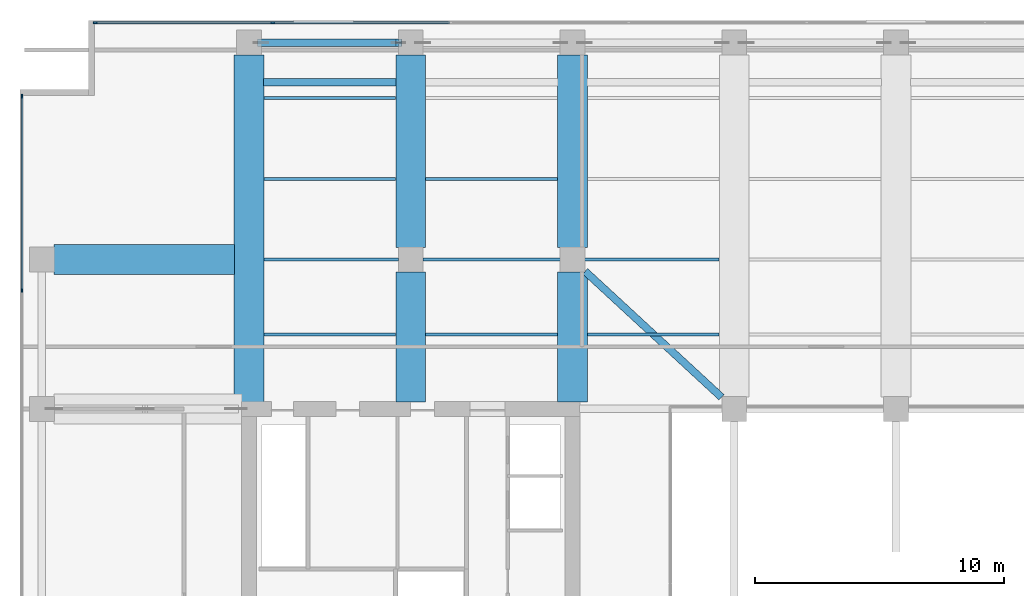
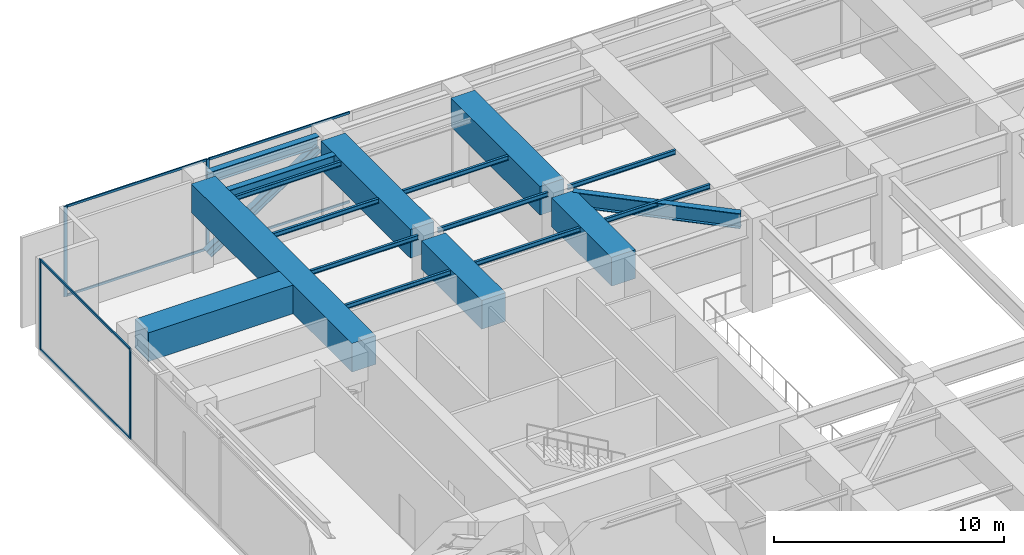
# One storey, part 8 of 28: 18 beams, 11 members, 2 elements without a shape of their own.
"""IFC4 building model written with IfcOpenShell, lengths in metres."""

from ifc_helpers import new_model, si_unit, direction, frame, origin, origin_2d, place, context, subcontext, project, spatial, rectangle, i_section, extrude, material, layer, layer_set, material_profile, profile_set, type_object, element, aggregate, save


model = new_model("IFC4")

# Units and contexts
model_context = context("Model", 3, precision=1e-05, world=origin(), true_north=direction((0.0, 1.0)))
body_context = subcontext(model_context, "Body", "Model", "MODEL_VIEW")
ifc_project = project(units=[si_unit("LENGTHUNIT", "METRE"), si_unit("AREAUNIT", "SQUARE_METRE"), si_unit("VOLUMEUNIT", "CUBIC_METRE"), si_unit("PLANEANGLEUNIT", "RADIAN"), si_unit("MASSUNIT", "GRAM", prefix="KILO")], contexts=[model_context])

# Site, building, storey
site_placement = place(None, origin())
site = spatial("IfcSite", under=ifc_project, at=site_placement, CompositionType="ELEMENT")
building_placement = place(site_placement, origin())
building = spatial("IfcBuilding", under=site, at=building_placement, Name="Putna Gate Headquarters", CompositionType="ELEMENT")
storey_placement = place(building_placement, frame((0.0, 0.0, 197.39990234375)))
storey = spatial("IfcBuildingStorey", under=building, at=storey_placement, Name="L49", CompositionType="ELEMENT", Elevation=197.39990234375)

# Beams
ifc_material_1 = material(Name="Steel S355J2", Category="steel")
ifc_material_profile_1 = material_profile(ifc_material_1, i_section(OverallWidth=0.300048828125, OverallDepth=0.800048828125, WebThickness=0.017578125, FlangeThickness=0.032958984375, at=origin_2d()), Name="Steel S355J2")
ifc_profile_set_1 = profile_set([ifc_material_profile_1], Name="Steel S355J2")
beam_type_1 = type_object("IfcBeamType", Name="BM-GIRD-P-HEB800", PredefinedType="USERDEFINED", material=ifc_profile_set_1)
beam_1_placement = place(storey_placement, frame((26.510498046875, 38.52880859375, 4.380126953125), z_axis=(0.734798423453, -0.678285542298, 0.0), x_axis=(0.678285542298, 0.734798423453, 0.0)))
element("IfcBeam", 1, at=beam_1_placement, inside=storey, type_object=beam_type_1, Name="L49 Core Flank Collector Tie Girder NW", ObjectType="GIRDER", PredefinedType="USERDEFINED", context=body_context, shape_type="SweptSolid", body=[
    extrude(i_section(OverallWidth=0.300048828125, OverallDepth=0.800048828125, WebThickness=0.017578125, FlangeThickness=0.032958984375, at=origin_2d()), origin(), (0.0, 0.0, 1.0), 7.45654296875),
])
ifc_material_profile_2 = material_profile(ifc_material_1, i_section(OverallWidth=0.1201171875, OverallDepth=0.239990234375, WebThickness=0.006103515625, FlangeThickness=0.009765625, at=origin_2d()), Name="Steel S355J2")
ifc_profile_set_2 = profile_set([ifc_material_profile_2], Name="Steel S355J2")
beam_type_2 = type_object("IfcBeamType", Name="BM-SEC-Z4-IPE240", PredefinedType="JOIST", material=ifc_profile_set_2)
beam_2_placement = place(storey_placement, frame((13.60400390625, 36.0, 4.66015625), z_axis=(1.0, 0.0, 0.0), x_axis=(0.0, 1.0, 0.0)))
element("IfcBeam", 2, at=beam_2_placement, inside=storey, type_object=beam_type_2, Name="L49 North Secondary Beam 1", PredefinedType="JOIST", context=body_context, shape_type="SweptSolid", body=[
    extrude(i_section(OverallWidth=0.1201171875, OverallDepth=0.239990234375, WebThickness=0.006103515625, FlangeThickness=0.009765625, at=origin_2d()), origin(), (0.0, 0.0, 1.0), 5.2919921875),
])
beam_3_placement = place(storey_placement, frame((13.60400390625, 39.0, 4.66015625), z_axis=(1.0, 0.0, 0.0), x_axis=(0.0, 1.0, 0.0)))
element("IfcBeam", 3, at=beam_3_placement, inside=storey, type_object=beam_type_2, Name="L49 North Secondary Beam 1", PredefinedType="JOIST", context=body_context, shape_type="SweptSolid", body=[
    extrude(i_section(OverallWidth=0.1201171875, OverallDepth=0.239990234375, WebThickness=0.006103515625, FlangeThickness=0.009765625, at=origin_2d()), origin(), (0.0, 0.0, 1.0), 5.407958984375),
])
for number, where, z_axis, x_axis, name in (
    (4, (13.60400390625, 42.25, 4.66015625), (1.0, 0.0, 0.0), (0.0, 1.0, 0.0), "L49 North Secondary Beam 1"),
    (5, (13.60400390625, 45.5, 4.66015625), (1.0, 0.0, 0.0), (0.0, 1.0, 0.0), "L49 North Secondary Beam 1"),
    (6, (20.10400390625, 36.0, 4.66015625), (1.0, 0.0, 0.0), (0.0, 1.0, 0.0), "L49 North Secondary Beam 2"),
):
    element("IfcBeam", number, at=place(storey_placement, frame(where, z_axis=z_axis, x_axis=x_axis)), inside=storey, type_object=beam_type_2, Name=name, PredefinedType="JOIST", context=body_context, shape_type="SweptSolid", body=[
        extrude(i_section(OverallWidth=0.1201171875, OverallDepth=0.239990234375, WebThickness=0.006103515625, FlangeThickness=0.009765625, at=origin_2d()), origin(), (0.0, 0.0, 1.0), 5.2919921875),
    ])
beam_4_placement = place(storey_placement, frame((19.988037109375, 39.0, 4.66015625), z_axis=(1.0, 0.0, 0.0), x_axis=(0.0, 1.0, 0.0)))
element("IfcBeam", 7, at=beam_4_placement, inside=storey, type_object=beam_type_2, Name="L49 North Secondary Beam 2", PredefinedType="JOIST", context=body_context, shape_type="SweptSolid", body=[
    extrude(i_section(OverallWidth=0.1201171875, OverallDepth=0.239990234375, WebThickness=0.006103515625, FlangeThickness=0.009765625, at=origin_2d()), origin(), (0.0, 0.0, 1.0), 5.52392578125),
])
for number, where, z_axis, x_axis, name in (
    (8, (20.10400390625, 42.25, 4.66015625), (1.0, 0.0, 0.0), (0.0, 1.0, 0.0), "L49 North Secondary Beam 2"),
    (9, (26.60400390625, 36.0, 4.66015625), (1.0, 0.0, 0.0), (0.0, 1.0, 0.0), "L49 North Secondary Beam 3"),
):
    element("IfcBeam", number, at=place(storey_placement, frame(where, z_axis=z_axis, x_axis=x_axis)), inside=storey, type_object=beam_type_2, Name=name, PredefinedType="JOIST", context=body_context, shape_type="SweptSolid", body=[
        extrude(i_section(OverallWidth=0.1201171875, OverallDepth=0.239990234375, WebThickness=0.006103515625, FlangeThickness=0.009765625, at=origin_2d()), origin(), (0.0, 0.0, 1.0), 5.2919921875),
    ])
beam_5_placement = place(storey_placement, frame((26.488037109375, 39.0, 4.66015625), z_axis=(1.0, 0.0, 0.0), x_axis=(0.0, 1.0, 0.0)))
element("IfcBeam", 10, at=beam_5_placement, inside=storey, type_object=beam_type_2, Name="L49 North Secondary Beam 3", PredefinedType="JOIST", context=body_context, shape_type="SweptSolid", body=[
    extrude(i_section(OverallWidth=0.1201171875, OverallDepth=0.239990234375, WebThickness=0.006103515625, FlangeThickness=0.009765625, at=origin_2d()), origin(), (0.0, 0.0, 1.0), 5.407958984375),
])
ifc_material_profile_3 = material_profile(ifc_material_1, i_section(OverallWidth=0.300048828125, OverallDepth=0.590087890625, WebThickness=0.012939453125, FlangeThickness=0.02490234375, at=origin_2d()), Name="Steel S355J2")
ifc_profile_set_3 = profile_set([ifc_material_profile_3], Name="Steel S355J2")
beam_type_3 = type_object("IfcBeamType", Name="BM-SPAN-Z4-HEA600", PredefinedType="SPANDREL", material=ifc_profile_set_3)
beam_6_placement = place(storey_placement, frame((13.488037109375, 47.719970703125, 4.485107421875), z_axis=(1.0, 0.0, 0.0), x_axis=(0.0, 1.0, 0.0)))
element("IfcBeam", 11, at=beam_6_placement, inside=storey, type_object=beam_type_3, Name="L49 N Perimeter Spandrel 1", PredefinedType="SPANDREL", context=body_context, shape_type="SweptSolid", body=[
    extrude(i_section(OverallWidth=0.300048828125, OverallDepth=0.590087890625, WebThickness=0.012939453125, FlangeThickness=0.02490234375, at=origin_2d()), origin(), (0.0, 0.0, 1.0), 5.52392578125),
])
beam_7_placement = place(storey_placement, frame((13.5849609375, 46.1201171875, 4.485107421875), z_axis=(1.0, 0.0, 0.0), x_axis=(0.0, 1.0, 0.0)))
element("IfcBeam", 12, at=beam_7_placement, inside=storey, type_object=beam_type_3, Name="L49 Setback Edge Beam N1", PredefinedType="SPANDREL", context=body_context, shape_type="SweptSolid", body=[
    extrude(i_section(OverallWidth=0.300048828125, OverallDepth=0.590087890625, WebThickness=0.012939453125, FlangeThickness=0.02490234375, at=origin_2d()), origin(), (0.0, 0.0, 1.0), 5.330078125),
])
ifc_material_2 = material(Name="Concrete C50/60", Category="concrete")
ifc_material_profile_4 = material_profile(ifc_material_2, rectangle(XDim=1.199951171875, YDim=1.52001953125, at=origin_2d()), Name="Concrete C50/60")
ifc_profile_set_4 = profile_set([ifc_material_profile_4], Name="Concrete C50/60")
beam_type_4 = type_object("IfcBeamType", Name="BM-TG-RC1520", PredefinedType="USERDEFINED", material=ifc_profile_set_4)
beam_8_placement = place(storey_placement, frame((5.16796875, 39.0, 4.02001953125), z_axis=(1.0, 0.0, 0.0), x_axis=(0.0, 1.0, 0.0)))
element("IfcBeam", 13, at=beam_8_placement, inside=storey, type_object=beam_type_4, Name="L49 West Setback Girder Y39", ObjectType="GIRDER", PredefinedType="USERDEFINED", context=body_context, shape_type="SweptSolid", body=[
    extrude(rectangle(XDim=1.199951171875, YDim=1.52001953125, at=origin_2d()), origin(), (0.0, 0.0, 1.0), 7.2470703125),
])
beam_9_placement = place(storey_placement, frame((13.0, 33.284912109375, 4.02001953125), z_axis=(0.0, 1.0, 0.0), x_axis=(-1.0, 0.0, 0.0)))
element("IfcBeam", 14, at=beam_9_placement, inside=storey, type_object=beam_type_4, Name="L49 North Primary Girder X13", ObjectType="GIRDER", PredefinedType="USERDEFINED", context=body_context, shape_type="SweptSolid", body=[
    extrude(rectangle(XDim=1.199951171875, YDim=1.52001953125, at=origin_2d()), origin(), (0.0, 0.0, 1.0), 13.947021484375),
])
beam_10_placement = place(storey_placement, frame((19.5, 33.284912109375, 4.02001953125), z_axis=(0.0, 1.0, 0.0), x_axis=(-1.0, 0.0, 0.0)))
element("IfcBeam", 15, at=beam_10_placement, inside=storey, type_object=beam_type_4, Name="L49 North Primary Girder X19-1", ObjectType="GIRDER", PredefinedType="USERDEFINED", context=body_context, shape_type="SweptSolid", body=[
    extrude(rectangle(XDim=1.199951171875, YDim=1.52001953125, at=origin_2d()), origin(), (0.0, 0.0, 1.0), 5.22705078125),
])
beam_11_placement = place(storey_placement, frame((19.5, 39.488037109375, 4.02001953125), z_axis=(0.0, 1.0, 0.0), x_axis=(-1.0, 0.0, 0.0)))
element("IfcBeam", 16, at=beam_11_placement, inside=storey, type_object=beam_type_4, Name="L49 North Primary Girder X19-2", ObjectType="GIRDER", PredefinedType="USERDEFINED", context=body_context, shape_type="SweptSolid", body=[
    extrude(rectangle(XDim=1.199951171875, YDim=1.52001953125, at=origin_2d()), origin(), (0.0, 0.0, 1.0), 7.743896484375),
])
beam_12_placement = place(storey_placement, frame((26.0, 33.284912109375, 4.02001953125), z_axis=(0.0, 1.0, 0.0), x_axis=(-1.0, 0.0, 0.0)))
element("IfcBeam", 17, at=beam_12_placement, inside=storey, type_object=beam_type_4, Name="L49 North Primary Girder X26-1", ObjectType="GIRDER", PredefinedType="USERDEFINED", context=body_context, shape_type="SweptSolid", body=[
    extrude(rectangle(XDim=1.199951171875, YDim=1.52001953125, at=origin_2d()), origin(), (0.0, 0.0, 1.0), 5.22705078125),
])
beam_13_placement = place(storey_placement, frame((26.0, 39.488037109375, 4.02001953125), z_axis=(0.0, 1.0, 0.0), x_axis=(-1.0, 0.0, 0.0)))
element("IfcBeam", 18, at=beam_13_placement, inside=storey, type_object=beam_type_4, Name="L49 North Primary Girder X26-2", ObjectType="GIRDER", PredefinedType="USERDEFINED", context=body_context, shape_type="SweptSolid", body=[
    extrude(rectangle(XDim=1.199951171875, YDim=1.52001953125, at=origin_2d()), origin(), (0.0, 0.0, 1.0), 7.743896484375),
])

# Member
ifc_material_3 = material(Name="Steel S460M", Category="steel")
ifc_material_profile_5 = material_profile(ifc_material_3, i_section(OverallWidth=0.306884765625, OverallDepth=0.47802734375, WebThickness=0.02099609375, FlangeThickness=0.0400390625, at=origin_2d()), Name="Steel S460M")
ifc_profile_set_5 = profile_set([ifc_material_profile_5], Name="Steel S460M")
member_type_1 = type_object("IfcMemberType", Name="MEM-BELT-DIAG-HEM450", PredefinedType="BRACE", material=ifc_profile_set_5)
member_1_placement = place(storey_placement, frame((13.485107421875, 47.719970703125, 0.4501953125), z_axis=(0.832508038541, 0.0, 0.554012965339), x_axis=(0.0, 1.0, 0.0)))
element("IfcMember", 19, at=member_1_placement, inside=storey, type_object=member_type_1, Name="L49 Belt Truss Diagonal N1", PredefinedType="BRACE", context=body_context, shape_type="SweptSolid", body=[
    extrude(i_section(OverallWidth=0.306884765625, OverallDepth=0.47802734375, WebThickness=0.02099609375, FlangeThickness=0.0400390625, at=origin_2d()), origin(), (0.0, 0.0, 1.0), 6.642333984375),
])

# Curtain wall, members
ifc_material_4 = material(Name="Anodised bronze aluminium curtain wall", Category="aluminium")
ifc_layer = layer(ifc_material_4, 0.159912109375)
ifc_layer_set = layer_set([ifc_layer], Name="Anodised bronze aluminium curtain wall")
curtain_wall_type = type_object("IfcCurtainWallType", Name="CW-SYS-CRN", PredefinedType="USERDEFINED", material=ifc_layer_set)
curtain_wall_1_placement = place(storey_placement, origin())
curtain_wall_1 = element("IfcCurtainWall", 20, at=curtain_wall_1_placement, inside=storey, type_object=curtain_wall_type, Name="L49 Acoustic Louvre North Enclosure", ObjectType="STICK CURTAIN WALL", PredefinedType="USERDEFINED")
ifc_material_5 = material(Name="Anodised bronze aluminium EN AW-6060", Category="aluminium")
ifc_material_profile_6 = material_profile(ifc_material_5, rectangle(XDim=0.06494140625, YDim=0.159912109375, at=origin_2d()), Name="Anodised bronze aluminium EN AW-6060")
ifc_profile_set_6 = profile_set([ifc_material_profile_6], Name="Anodised bronze aluminium EN AW-6060")
member_type_2 = type_object("IfcMemberType", Name="MULL-CWM-CR", PredefinedType="MULLION", material=ifc_profile_set_6)
member_2_placement = place(storey_placement, frame((6.83251953125, 48.52001953125, 0.0), z_axis=(0.0, 0.0, 1.0), x_axis=(0.0, 1.0, 0.0)))
member_2 = element("IfcMember", 21, at=member_2_placement, type_object=member_type_2, Name="CWS-CR mullion 1", PredefinedType="MULLION", context=body_context, shape_type="SweptSolid", body=[
    extrude(rectangle(XDim=0.06494140625, YDim=0.159912109375, at=origin_2d()), origin(), (0.0, 0.0, 1.0), 4.780029296875),
])
member_3_placement = place(storey_placement, frame((13.95556640625, 48.52001953125, 0.0), z_axis=(0.0, 0.0, 1.0), x_axis=(0.0, 1.0, 0.0)))
member_3 = element("IfcMember", 22, at=member_3_placement, type_object=member_type_2, Name="CWS-CR mullion 2", PredefinedType="MULLION", context=body_context, shape_type="SweptSolid", body=[
    extrude(rectangle(XDim=0.06494140625, YDim=0.159912109375, at=origin_2d()), origin(), (0.0, 0.0, 1.0), 4.780029296875),
])

curtain_wall_2_placement = place(storey_placement, origin())
curtain_wall_2 = element("IfcCurtainWall", 23, at=curtain_wall_2_placement, inside=storey, type_object=curtain_wall_type, Name="L49 Acoustic Louvre West Enclosure", ObjectType="STICK CURTAIN WALL", PredefinedType="USERDEFINED")
member_4_placement = place(storey_placement, frame((3.8798828125, 37.760009765625, 0.0), z_axis=(0.0, 0.0, 1.0), x_axis=(-1.0, 0.0, 0.0)))
member_4 = element("IfcMember", 24, at=member_4_placement, type_object=member_type_2, Name="CWS-CR mullion 5", PredefinedType="MULLION", context=body_context, shape_type="SweptSolid", body=[
    extrude(rectangle(XDim=0.06494140625, YDim=0.159912109375, at=origin_2d()), origin(), (0.0, 0.0, 1.0), 4.780029296875),
])
member_5_placement = place(storey_placement, frame((3.8798828125, 45.5673828125, 0.0), z_axis=(0.0, 0.0, 1.0), x_axis=(-1.0, 0.0, 0.0)))
member_5 = element("IfcMember", 25, at=member_5_placement, type_object=member_type_2, Name="CWS-CR mullion 6", PredefinedType="MULLION", context=body_context, shape_type="SweptSolid", body=[
    extrude(rectangle(XDim=0.06494140625, YDim=0.159912109375, at=origin_2d()), origin(), (0.0, 0.0, 1.0), 4.780029296875),
])

# Member
ifc_material_profile_7 = material_profile(ifc_material_5, rectangle(XDim=0.06494140625, YDim=0.1201171875, at=origin_2d()), Name="Anodised bronze aluminium EN AW-6060")
ifc_profile_set_7 = profile_set([ifc_material_profile_7], Name="Anodised bronze aluminium EN AW-6060")
member_type_3 = type_object("IfcMemberType", Name="TRAN-CWT-CR", PredefinedType="USERDEFINED", material=ifc_profile_set_7)
member_6_placement = place(storey_placement, frame((6.864990234375, 48.52001953125, 0.03271484375), z_axis=(1.0, 0.0, 0.0), x_axis=(0.0, 1.0, 0.0)))
member_6 = element("IfcMember", 26, at=member_6_placement, type_object=member_type_3, Name="CWS-CR transom 1.1", ObjectType="TRANSOM", PredefinedType="USERDEFINED", context=body_context, shape_type="SweptSolid", body=[
    extrude(rectangle(XDim=0.06494140625, YDim=0.1201171875, at=origin_2d()), origin(), (0.0, 0.0, 1.0), 7.05810546875),
])

member_7_placement = place(storey_placement, frame((6.864990234375, 48.52001953125, 4.74755859375), z_axis=(1.0, 0.0, 0.0), x_axis=(0.0, 1.0, 0.0)))
member_7 = element("IfcMember", 27, at=member_7_placement, type_object=member_type_3, Name="CWS-CR transom 1.2", ObjectType="TRANSOM", PredefinedType="USERDEFINED", context=body_context, shape_type="SweptSolid", body=[
    extrude(rectangle(XDim=0.06494140625, YDim=0.1201171875, at=origin_2d()), origin(), (0.0, 0.0, 1.0), 7.05810546875),
])

member_8_placement = place(storey_placement, frame((13.988037109375, 48.52001953125, 0.03271484375), z_axis=(1.0, 0.0, 0.0), x_axis=(0.0, 1.0, 0.0)))
member_8 = element("IfcMember", 28, at=member_8_placement, type_object=member_type_3, Name="CWS-CR transom 2.1", ObjectType="TRANSOM", PredefinedType="USERDEFINED", context=body_context, shape_type="SweptSolid", body=[
    extrude(rectangle(XDim=0.06494140625, YDim=0.1201171875, at=origin_2d()), origin(), (0.0, 0.0, 1.0), 7.090576171875),
])

member_9_placement = place(storey_placement, frame((13.988037109375, 48.52001953125, 4.74755859375), z_axis=(1.0, 0.0, 0.0), x_axis=(0.0, 1.0, 0.0)))
member_9 = element("IfcMember", 29, at=member_9_placement, type_object=member_type_3, Name="CWS-CR transom 2.2", ObjectType="TRANSOM", PredefinedType="USERDEFINED", context=body_context, shape_type="SweptSolid", body=[
    extrude(rectangle(XDim=0.06494140625, YDim=0.1201171875, at=origin_2d()), origin(), (0.0, 0.0, 1.0), 7.090576171875),
])

aggregate(curtain_wall_1, [member_2, member_3, member_6, member_7, member_8, member_9])

member_10_placement = place(storey_placement, frame((3.8798828125, 37.79248046875, 0.03271484375), z_axis=(0.0, 1.0, 0.0), x_axis=(-1.0, 0.0, 0.0)))
member_10 = element("IfcMember", 30, at=member_10_placement, type_object=member_type_3, Name="CWS-CR transom 5.1", ObjectType="TRANSOM", PredefinedType="USERDEFINED", context=body_context, shape_type="SweptSolid", body=[
    extrude(rectangle(XDim=0.06494140625, YDim=0.1201171875, at=origin_2d()), origin(), (0.0, 0.0, 1.0), 7.742431640625),
])

member_11_placement = place(storey_placement, frame((3.8798828125, 37.79248046875, 4.74755859375), z_axis=(0.0, 1.0, 0.0), x_axis=(-1.0, 0.0, 0.0)))
member_11 = element("IfcMember", 31, at=member_11_placement, type_object=member_type_3, Name="CWS-CR transom 5.2", ObjectType="TRANSOM", PredefinedType="USERDEFINED", context=body_context, shape_type="SweptSolid", body=[
    extrude(rectangle(XDim=0.06494140625, YDim=0.1201171875, at=origin_2d()), origin(), (0.0, 0.0, 1.0), 7.742431640625),
])

aggregate(curtain_wall_2, [member_4, member_5, member_10, member_11])

save(model, "model.ifc")
